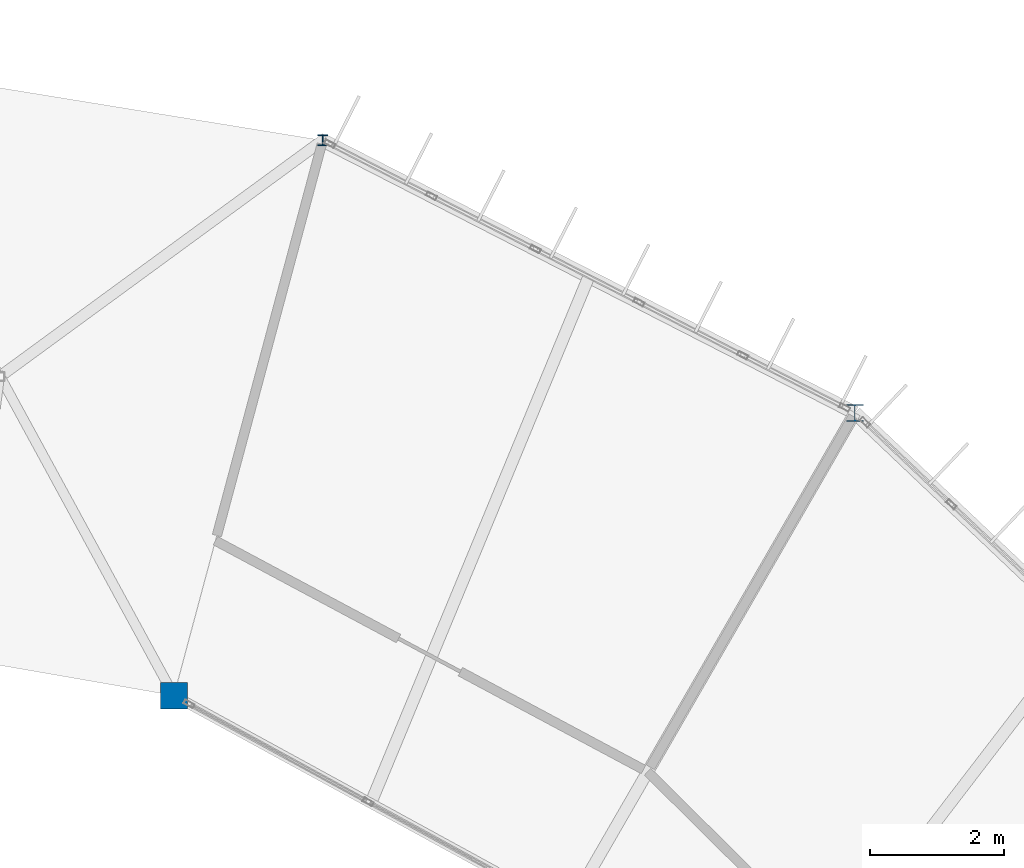
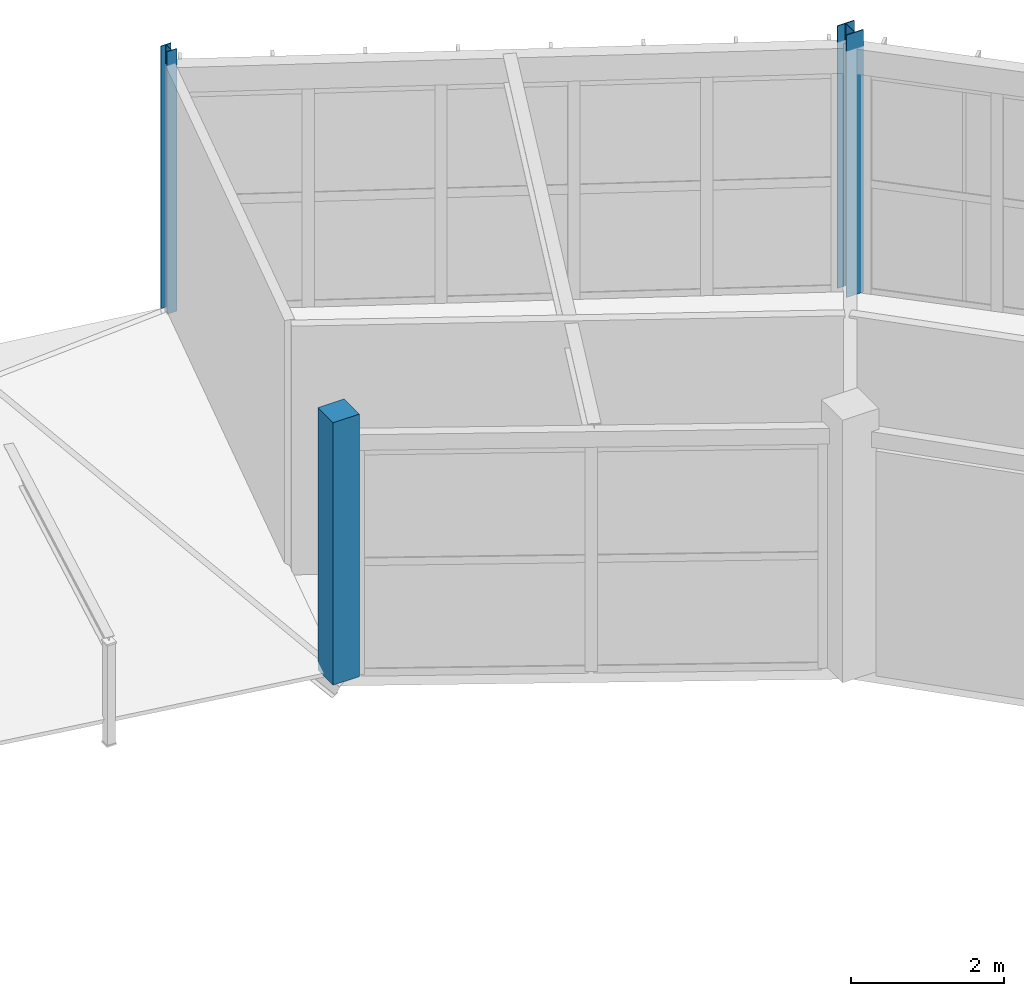
# One storey, part 6 of 66: 3 columns.
"""IFC4 building model written with IfcOpenShell, lengths in metres."""

from ifc_helpers import new_model, si_unit, direction, frame, origin, origin_2d, place, context, subcontext, project, spatial, rectangle, i_section, extrude, material, material_profile, profile_set, type_object, element, save


model = new_model("IFC4")

# Units and contexts
model_context = context("Model", 3, precision=1e-05, world=origin(), true_north=direction((0.0, 1.0)))
body_context = subcontext(model_context, "Body", "Model", "MODEL_VIEW")
ifc_project = project(units=[si_unit("LENGTHUNIT", "METRE"), si_unit("AREAUNIT", "SQUARE_METRE"), si_unit("VOLUMEUNIT", "CUBIC_METRE"), si_unit("PLANEANGLEUNIT", "RADIAN"), si_unit("MASSUNIT", "GRAM", prefix="KILO")], contexts=[model_context])

# Site, building, storey
site_placement = place(None, origin())
site = spatial("IfcSite", under=ifc_project, at=site_placement, CompositionType="ELEMENT")
building_placement = place(site_placement, origin())
building = spatial("IfcBuilding", under=site, at=building_placement, Name="Karori Crest Natural Sciences Institute", CompositionType="ELEMENT")
storey_placement = place(building_placement, frame((0.0, 0.0, 30.10009765625)))
storey = spatial("IfcBuildingStorey", under=building, at=storey_placement, Name="L07", CompositionType="ELEMENT", Elevation=30.10009765625)

# Columns
ifc_material_1 = material(Name="Structural steel AS/NZS 3679.1 Grade 350", Category="steel")
ifc_material_profile_1 = material_profile(ifc_material_1, i_section(OverallWidth=0.25390625, OverallDepth=0.25390625, WebThickness=0.008544921875, FlangeThickness=0.01416015625, FilletRadius=0.013916015625, at=origin_2d()), Name="250UC72.9")
ifc_profile_set_1 = profile_set([ifc_material_profile_1], Name="Structural steel AS/NZS 3679.1 Grade 350")
column_type_1 = type_object("IfcColumnType", Name="CT-07", PredefinedType="COLUMN", material=ifc_profile_set_1)
column_1_placement = place(storey_placement, frame((82.89990234375, 85.23388671875, 0.0), z_axis=(0.0, 0.0, 1.0), x_axis=(1.0, 0.0, 0.0)))
element("IfcColumn", 1, at=column_1_placement, inside=storey, type_object=column_type_1, Name="Column C-0089", PredefinedType="COLUMN", context=body_context, shape_type="SweptSolid", body=[
    extrude(i_section(OverallWidth=0.25390625, OverallDepth=0.25390625, WebThickness=0.008544921875, FlangeThickness=0.01416015625, FilletRadius=0.013916015625, at=origin_2d()), origin(), (0.0, 0.0, 1.0), 4.199951171875),
])
ifc_material_profile_2 = material_profile(ifc_material_1, i_section(OverallWidth=0.154052734375, OverallDepth=0.162109375, WebThickness=0.008056640625, FlangeThickness=0.011474609375, FilletRadius=0.009033203125, at=origin_2d()), Name="150UC37.2")
ifc_profile_set_2 = profile_set([ifc_material_profile_2], Name="Structural steel AS/NZS 3679.1 Grade 350")
column_type_2 = type_object("IfcColumnType", Name="CT-26", PredefinedType="COLUMN", material=ifc_profile_set_2)
column_2_placement = place(storey_placement, frame((74.94091796875, 89.309814453125, 0.0), z_axis=(0.0, 0.0, 1.0), x_axis=(1.0, 0.0, 0.0)))
element("IfcColumn", 2, at=column_2_placement, inside=storey, type_object=column_type_2, Name="Column C-0107", PredefinedType="COLUMN", context=body_context, shape_type="SweptSolid", body=[
    extrude(i_section(OverallWidth=0.154052734375, OverallDepth=0.162109375, WebThickness=0.008056640625, FlangeThickness=0.011474609375, FilletRadius=0.009033203125, at=origin_2d()), origin(), (0.0, 0.0, 1.0), 4.199951171875),
])
ifc_material_2 = material(Name="Concrete 50 MPa", Category="concrete")
ifc_material_profile_3 = material_profile(ifc_material_2, rectangle(XDim=0.39990234375, YDim=0.39990234375, at=origin_2d()), Name="RC400x400")
ifc_profile_set_3 = profile_set([ifc_material_profile_3], Name="Concrete 50 MPa")
column_type_3 = type_object("IfcColumnType", Name="CT-31", PredefinedType="PILASTER", material=ifc_profile_set_3)
column_3_placement = place(storey_placement, frame((72.715087890625, 81.002685546875, 0.0), z_axis=(0.0, 0.0, 1.0), x_axis=(1.0, 0.0, 0.0)))
element("IfcColumn", 3, at=column_3_placement, inside=storey, type_object=column_type_3, Name="Column C-0108", PredefinedType="PILASTER", context=body_context, shape_type="SweptSolid", body=[
    extrude(rectangle(XDim=0.39990234375, YDim=0.39990234375, at=origin_2d()), origin(), (0.0, 0.0, 1.0), 4.199951171875),
])

save(model, "model.ifc")
